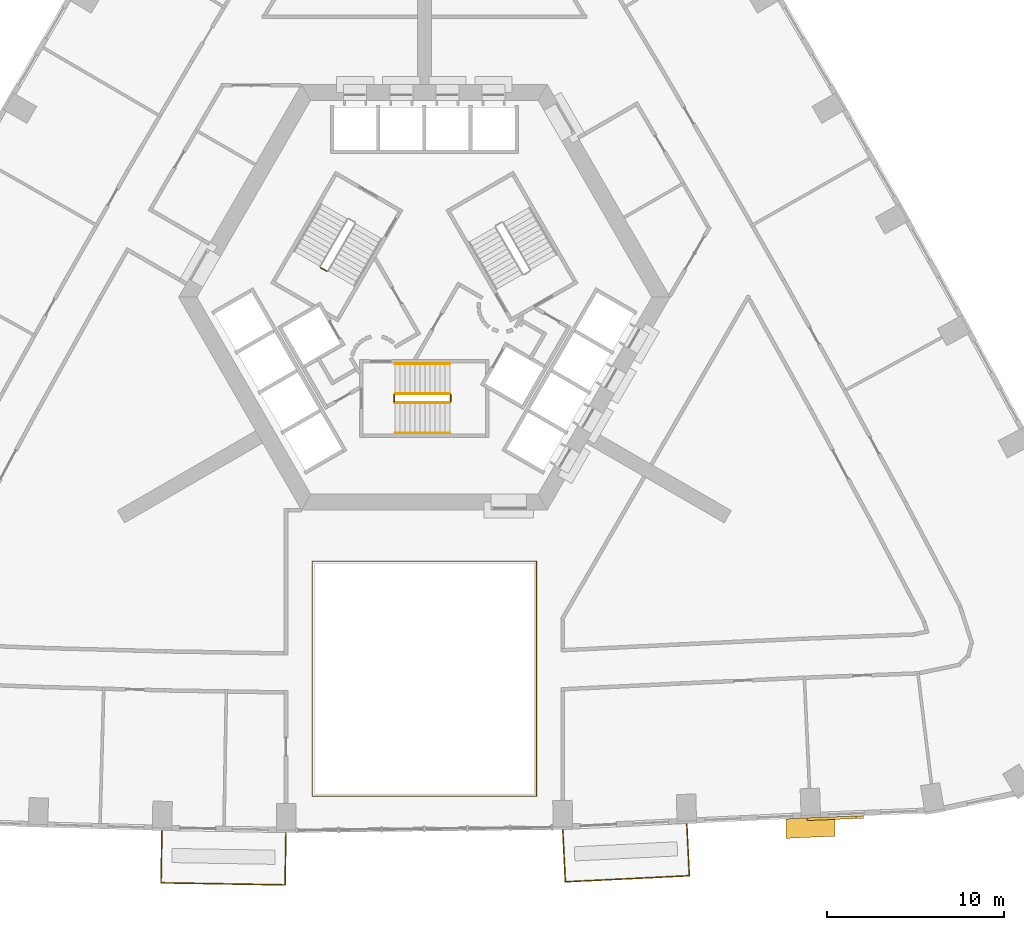
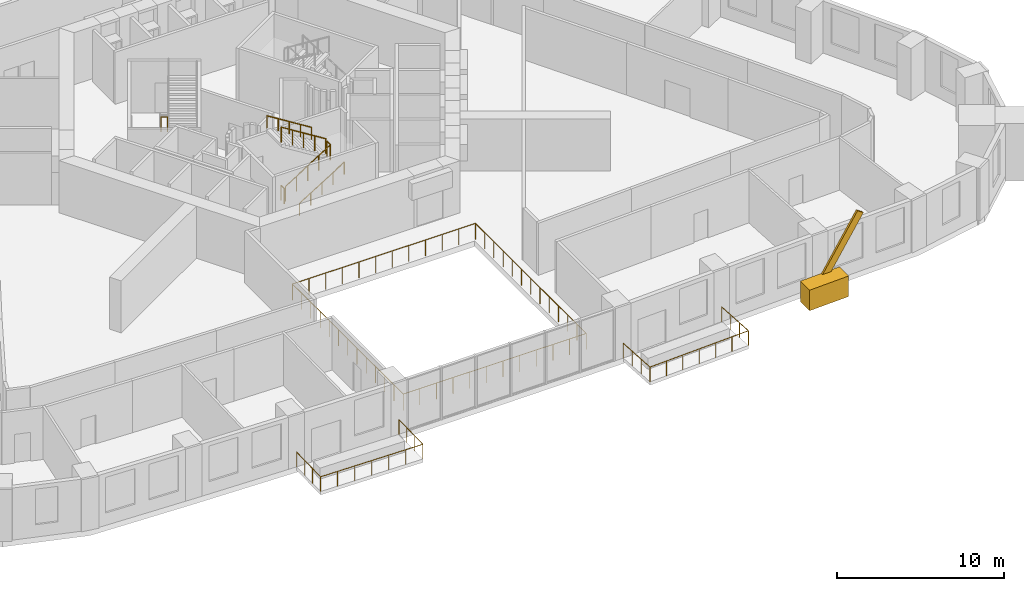
# One storey, part 13 of 14: 10 railings, 1 covering, 1 shading device.
"""IFC4 building model written with IfcOpenShell, lengths in metres."""

import ifcopenshell
import ifcopenshell.guid

model = None  # the IFC model being written
_history = None  # IfcOwnerHistory: only IFC2X3 demands one
_inside = {}  # id of a spatial element -> (the spatial element, [elements in it])
_under = {}  # id of a project, library or spatial element -> (it, [spatial elements below it])
_declared = {}  # id of a project -> (the project, [libraries it declares])
_typed = {}  # id of a type object -> (the type object, [elements of that type])
_made_of = {}  # id of a material, layer set ... -> (it, [elements and type objects made of it])


def new_model(schema):
    """Start an empty IFC model of exactly this schema.

    Asked for "IFC4X3", IfcOpenShell would pick the latest addendum, in which some entities
    have other attributes; the version numbers below select the first issue.
    IFC2X3 requires an IfcOwnerHistory on every rooted entity: one is made here for all.
    """
    global model, _history
    if schema == "IFC4X3":
        model = ifcopenshell.file(schema_version=(4, 3, 0, 0))
    else:
        model = ifcopenshell.file(schema=schema)
    _inside.clear()
    _under.clear()
    _declared.clear()
    _typed.clear()
    _made_of.clear()
    _history = None
    if model.schema == "IFC2X3":
        org = make("IfcOrganization", Name="unknown")
        user = make(
            "IfcPersonAndOrganization",
            ThePerson=make("IfcPerson", FamilyName="unknown"),
            TheOrganization=org,
        )
        app = make(
            "IfcApplication",
            ApplicationDeveloper=org,
            Version="unknown",
            ApplicationFullName="unknown",
            ApplicationIdentifier="unknown",
        )
        _history = make(
            "IfcOwnerHistory",
            OwningUser=user,
            OwningApplication=app,
            ChangeAction="ADDED",
            CreationDate=0,
        )
    return model


def make(cls, **values):
    """One entity of the class cls with the attributes given. An attribute that is None is left unset."""
    return model.create_entity(
        cls, **{name: value for name, value in values.items() if value is not None}
    )


def rooted(cls, **values):
    """An entity with a GlobalId (a new one), such as an element, a storey or a relation."""
    return make(cls, GlobalId=ifcopenshell.guid.new(), OwnerHistory=_history, **values)


def si_unit(unit_type, name, prefix=None):
    """IfcSIUnit, for example si_unit("LENGTHUNIT", "METRE", prefix="MILLI")."""
    return make("IfcSIUnit", UnitType=unit_type, Prefix=prefix, Name=name)


def assignment(units):
    """IfcUnitAssignment: the units of a project."""
    return None if units is None else make("IfcUnitAssignment", Units=units)


def point(xyz):
    """IfcCartesianPoint."""
    return None if xyz is None else make("IfcCartesianPoint", Coordinates=xyz)


def direction(xyz):
    """IfcDirection."""
    return None if xyz is None else make("IfcDirection", DirectionRatios=xyz)


def frame(location, z_axis=None, x_axis=None):
    """IfcAxis2Placement3D, a coordinate frame: its origin and axes. An axis left out is left unset."""
    return make(
        "IfcAxis2Placement3D",
        Location=point(location),
        Axis=direction(z_axis),
        RefDirection=direction(x_axis),
    )


def frame_2d(location, x_axis=None):
    """IfcAxis2Placement2D, a coordinate frame in the plane: its origin and x axis."""
    return make(
        "IfcAxis2Placement2D", Location=point(location), RefDirection=direction(x_axis)
    )


def origin():
    """The frame at (0, 0, 0) with its axes left unset."""
    return frame((0.0, 0.0, 0.0))


def origin_2d():
    """The frame at (0, 0) in the plane with its x axis left unset."""
    return frame_2d((0.0, 0.0))


def place(relative_to, where):
    """IfcLocalPlacement: puts the frame where relative to a parent placement (None: the world)."""
    return make(
        "IfcLocalPlacement", PlacementRelTo=relative_to, RelativePlacement=where
    )


def context(
    kind, dimensions, precision=None, world=None, true_north=None, identifier=None
):
    """IfcGeometricRepresentationContext, for example the 3D "Model" context."""
    return make(
        "IfcGeometricRepresentationContext",
        ContextIdentifier=identifier,
        ContextType=kind,
        CoordinateSpaceDimension=dimensions,
        Precision=precision,
        WorldCoordinateSystem=world,
        TrueNorth=true_north,
    )


def subcontext(parent, identifier, kind, view, scale=None):
    """IfcGeometricRepresentationSubContext, for example "Body" below "Model"."""
    return make(
        "IfcGeometricRepresentationSubContext",
        ContextIdentifier=identifier,
        ContextType=kind,
        ParentContext=parent,
        TargetScale=scale,
        TargetView=view,
    )


def project(units=None, contexts=None):
    """IfcProject with its units and contexts."""
    return rooted(
        "IfcProject",
        Name="project",
        RepresentationContexts=contexts,
        UnitsInContext=assignment(units),
    )


def spatial(cls, under=None, at=None, **own):
    """A site, building, storey or space (cls), placed at a placement, below another one or the project."""
    s = rooted(cls, ObjectPlacement=at, **own)
    if under is not None:
        _under.setdefault(under.id(), (under, []))[1].append(s)
    return s


def polyline(points):
    """IfcPolyline through the points."""
    return make("IfcPolyline", Points=[point(p) for p in points])


def profile(cls, at=None, kind="AREA", **sizes):
    """A parametric profile (cls). Its sizes go by their IFC names, for example OverallWidth=200.0."""
    return make(cls, ProfileType=kind, Position=at, **sizes)


def rectangle(**sizes):
    """IfcRectangleProfileDef."""
    return profile("IfcRectangleProfileDef", **sizes)


def circle(**sizes):
    """IfcCircleProfileDef."""
    return profile("IfcCircleProfileDef", **sizes)


def outline(outer, holes=None, kind="AREA"):
    """IfcArbitraryClosedProfileDef: a profile drawn as a closed curve; with holes, ...WithVoids."""
    if holes is None:
        return make("IfcArbitraryClosedProfileDef", ProfileType=kind, OuterCurve=outer)
    return make(
        "IfcArbitraryProfileDefWithVoids",
        ProfileType=kind,
        OuterCurve=outer,
        InnerCurves=holes,
    )


def extrude(swept, where, along, depth):
    """IfcExtrudedAreaSolid: the profile swept, set in the frame where, extruded along a direction by depth."""
    return make(
        "IfcExtrudedAreaSolid",
        SweptArea=swept,
        Position=where,
        ExtrudedDirection=direction(along),
        Depth=depth,
    )


def shape(context_of_items, identifier, shape_type, items):
    """IfcShapeRepresentation: the items that make up one representation, for example the "Body"."""
    return make(
        "IfcShapeRepresentation",
        ContextOfItems=context_of_items,
        RepresentationIdentifier=identifier,
        RepresentationType=shape_type,
        Items=items,
    )


def material(Name=None, Category=None):
    """IfcMaterial."""
    return make("IfcMaterial", Name=Name, Category=Category)


def material_profile(
    of_material, cross_section, Name=None, Category=None, Priority=None
):
    """IfcMaterialProfile: a cross section and its material."""
    return make(
        "IfcMaterialProfile",
        Name=Name,
        Material=of_material,
        Profile=cross_section,
        Priority=Priority,
        Category=Category,
    )


def profile_set(profiles, Name=None, composite=None):
    """IfcMaterialProfileSet."""
    return make(
        "IfcMaterialProfileSet",
        Name=Name,
        MaterialProfiles=profiles,
        CompositeProfile=composite,
    )


def made_of(thing, what):
    """Note that an element or type object is made of a material, layer set ...; save() writes the relation."""
    if what is not None:
        _made_of.setdefault(what.id(), (what, []))[1].append(thing)
    return thing


def type_object(cls, material=None, **own):
    """A type object (cls), such as IfcWallType, which elements share."""
    return made_of(rooted(cls, **own), material)


def element(
    cls,
    number,
    at=None,
    inside=None,
    cuts=None,
    type_object=None,
    material=None,
    context=None,
    identifier="Body",
    shape_type=None,
    held_by="IfcProductDefinitionShape",
    body=None,
    shapes=None,
    **own,
):
    """One element of the class cls, such as IfcWall. Its Tag is "e" and its number.

    at: its placement. inside: the storey or other place that contains it. cuts: it is an
    opening in that element (IfcRelVoidsElement). A single representation is given by context,
    identifier, shape_type and body (its items); several are given by shapes. held_by: the class
    of the entity that holds the representations. save() writes the other relations.
    """
    e = rooted(cls, Tag="e%d" % number, ObjectPlacement=at, **own)
    if body is not None:
        shapes = [shape(context, identifier, shape_type, body)]
    if shapes is not None:
        e.Representation = make(held_by, Representations=shapes)
    if inside is not None:
        _inside.setdefault(inside.id(), (inside, []))[1].append(e)
    if cuts is not None:
        rooted(
            "IfcRelVoidsElement", RelatingBuildingElement=cuts, RelatedOpeningElement=e
        )
    if type_object is not None:
        _typed.setdefault(type_object.id(), (type_object, []))[1].append(e)
    return made_of(e, material)


def aggregate(whole, parts):
    """IfcRelAggregates: a whole, such as a stair, and the parts it consists of."""
    return rooted("IfcRelAggregates", RelatingObject=whole, RelatedObjects=parts)


def save(model, path):
    """Write the relations noted so far, then the file.

    IfcRelAggregates (storeys below a building ...), IfcRelContainedInSpatialStructure (elements
    in a storey), IfcRelDefinesByType, IfcRelAssociatesMaterial and IfcRelDeclares: one each for
    every whole, place, type object, material and project.
    """
    for whole, parts in _under.values():
        aggregate(whole, parts)
    for where, things in _inside.values():
        rooted(
            "IfcRelContainedInSpatialStructure",
            RelatedElements=things,
            RelatingStructure=where,
        )
    for kind, things in _typed.values():
        rooted("IfcRelDefinesByType", RelatedObjects=things, RelatingType=kind)
    for what, things in _made_of.values():
        rooted("IfcRelAssociatesMaterial", RelatedObjects=things, RelatingMaterial=what)
    for by, libraries in _declared.values():
        rooted("IfcRelDeclares", RelatingContext=by, RelatedDefinitions=libraries)
    model.write(path)


model = new_model("IFC4")

# Units and contexts
model_context = context("Model", 3, precision=1e-05, world=origin(), true_north=direction((0.0, 1.0)))
body_context = subcontext(model_context, "Body", "Model", "MODEL_VIEW")
ifc_project = project(units=[si_unit("LENGTHUNIT", "METRE"), si_unit("AREAUNIT", "SQUARE_METRE"), si_unit("VOLUMEUNIT", "CUBIC_METRE"), si_unit("PLANEANGLEUNIT", "RADIAN"), si_unit("MASSUNIT", "GRAM", prefix="KILO")], contexts=[model_context])

# Site, building, storey
site_placement = place(None, origin())
site = spatial("IfcSite", under=ifc_project, at=site_placement, CompositionType="ELEMENT")
building_placement = place(site_placement, origin())
building = spatial("IfcBuilding", under=site, at=building_placement, Name="Entoto Arch Interchange Tower", CompositionType="ELEMENT")
storey_placement = place(building_placement, frame((0.0, 0.0, 116.0)))
storey = spatial("IfcBuildingStorey", under=building, at=storey_placement, Name="L25", CompositionType="ELEMENT", Elevation=116.0)

# Railing
ifc_material_1 = material(Name="Stainless steel 1.4301", Category="steel")
railing_type_1 = type_object("IfcRailingType", Name="ATRIUM GUARD 1200 STEEL AND GLASS", PredefinedType="GUARDRAIL", material=ifc_material_1)
railing_1_placement = place(storey_placement, frame((6.320068359375, -25.6298828125, 0.0)))
element("IfcRailing", 1, at=railing_1_placement, inside=storey, type_object=railing_type_1, Name="Atrium guard L25", PredefinedType="GUARDRAIL", context=body_context, shape_type="SweptSolid", body=[
    extrude(circle(Radius=0.02392578125, at=origin_2d()), frame((0.0, 0.0, 1.17578125), z_axis=(-1.0, 0.0, 0.0), x_axis=(0.0, -1.0, 0.0)), (0.0, 0.0, 1.0), 12.64013671875),
    extrude(circle(Radius=0.02392578125, at=origin_2d()), frame((-12.64013671875, 0.0, 1.17578125), z_axis=(0.0, 1.0, 0.0), x_axis=(-1.0, 0.0, 0.0)), (0.0, 0.0, 1.0), 13.25),
    extrude(circle(Radius=0.02392578125, at=origin_2d()), frame((-12.64013671875, 13.25, 1.17578125), z_axis=(1.0, 0.0, 0.0), x_axis=(0.0, 1.0, 0.0)), (0.0, 0.0, 1.0), 12.64013671875),
    extrude(circle(Radius=0.02392578125, at=origin_2d()), frame((0.0, 13.25, 1.17578125), z_axis=(0.0, -1.0, 0.0), x_axis=(1.0, 0.0, 0.0)), (0.0, 0.0, 1.0), 13.25),
    extrude(circle(Radius=0.02099609375, at=origin_2d()), origin(), (0.0, 0.0, 1.0), 1.15185546875),
    extrude(circle(Radius=0.02099609375, at=origin_2d()), frame((-1.149169921875, 0.0, 0.0)), (0.0, 0.0, 1.0), 1.15185546875),
    extrude(circle(Radius=0.02099609375, at=origin_2d()), frame((-2.298095703125, 0.0, 0.0)), (0.0, 0.0, 1.0), 1.15185546875),
    extrude(circle(Radius=0.02099609375, at=origin_2d()), frame((-3.447265625, 0.0, 0.0)), (0.0, 0.0, 1.0), 1.15185546875),
    extrude(circle(Radius=0.02099609375, at=origin_2d()), frame((-4.596435546875, 0.0, 0.0)), (0.0, 0.0, 1.0), 1.15185546875),
    extrude(circle(Radius=0.02099609375, at=origin_2d()), frame((-5.74560546875, 0.0, 0.0)), (0.0, 0.0, 1.0), 1.15185546875),
    extrude(circle(Radius=0.02099609375, at=origin_2d()), frame((-6.89453125, 0.0, 0.0)), (0.0, 0.0, 1.0), 1.15185546875),
    extrude(circle(Radius=0.02099609375, at=origin_2d()), frame((-8.043701171875, 0.0, 0.0)), (0.0, 0.0, 1.0), 1.15185546875),
    extrude(circle(Radius=0.02099609375, at=origin_2d()), frame((-9.19287109375, 0.0, 0.0)), (0.0, 0.0, 1.0), 1.15185546875),
    extrude(circle(Radius=0.02099609375, at=origin_2d()), frame((-10.342041015625, 0.0, 0.0)), (0.0, 0.0, 1.0), 1.15185546875),
    extrude(circle(Radius=0.02099609375, at=origin_2d()), frame((-11.490966796875, 0.0, 0.0)), (0.0, 0.0, 1.0), 1.15185546875),
    extrude(circle(Radius=0.02099609375, at=origin_2d()), frame((-12.64013671875, 0.0, 0.0)), (0.0, 0.0, 1.0), 1.15185546875),
    extrude(circle(Radius=0.02099609375, at=origin_2d()), frame((-12.64013671875, 1.104248046875, 0.0)), (0.0, 0.0, 1.0), 1.15185546875),
    extrude(circle(Radius=0.02099609375, at=origin_2d()), frame((-12.64013671875, 2.208251953125, 0.0)), (0.0, 0.0, 1.0), 1.15185546875),
    extrude(circle(Radius=0.02099609375, at=origin_2d()), frame((-12.64013671875, 3.3125, 0.0)), (0.0, 0.0, 1.0), 1.15185546875),
    extrude(circle(Radius=0.02099609375, at=origin_2d()), frame((-12.64013671875, 4.416748046875, 0.0)), (0.0, 0.0, 1.0), 1.15185546875),
    extrude(circle(Radius=0.02099609375, at=origin_2d()), frame((-12.64013671875, 5.520751953125, 0.0)), (0.0, 0.0, 1.0), 1.15185546875),
    extrude(circle(Radius=0.02099609375, at=origin_2d()), frame((-12.64013671875, 6.625, 0.0)), (0.0, 0.0, 1.0), 1.15185546875),
    extrude(circle(Radius=0.02099609375, at=origin_2d()), frame((-12.64013671875, 7.729248046875, 0.0)), (0.0, 0.0, 1.0), 1.15185546875),
    extrude(circle(Radius=0.02099609375, at=origin_2d()), frame((-12.64013671875, 8.833251953125, 0.0)), (0.0, 0.0, 1.0), 1.15185546875),
    extrude(circle(Radius=0.02099609375, at=origin_2d()), frame((-12.64013671875, 9.9375, 0.0)), (0.0, 0.0, 1.0), 1.15185546875),
    extrude(circle(Radius=0.02099609375, at=origin_2d()), frame((-12.64013671875, 11.041748046875, 0.0)), (0.0, 0.0, 1.0), 1.15185546875),
    extrude(circle(Radius=0.02099609375, at=origin_2d()), frame((-12.64013671875, 12.145751953125, 0.0)), (0.0, 0.0, 1.0), 1.15185546875),
    extrude(circle(Radius=0.02099609375, at=origin_2d()), frame((-12.64013671875, 13.25, 0.0)), (0.0, 0.0, 1.0), 1.15185546875),
    extrude(circle(Radius=0.02099609375, at=origin_2d()), frame((-11.490966796875, 13.25, 0.0)), (0.0, 0.0, 1.0), 1.15185546875),
    extrude(circle(Radius=0.02099609375, at=origin_2d()), frame((-10.342041015625, 13.25, 0.0)), (0.0, 0.0, 1.0), 1.15185546875),
    extrude(circle(Radius=0.02099609375, at=origin_2d()), frame((-9.19287109375, 13.25, 0.0)), (0.0, 0.0, 1.0), 1.15185546875),
    extrude(circle(Radius=0.02099609375, at=origin_2d()), frame((-8.043701171875, 13.25, 0.0)), (0.0, 0.0, 1.0), 1.15185546875),
    extrude(circle(Radius=0.02099609375, at=origin_2d()), frame((-6.89453125, 13.25, 0.0)), (0.0, 0.0, 1.0), 1.15185546875),
    extrude(circle(Radius=0.02099609375, at=origin_2d()), frame((-5.74560546875, 13.25, 0.0)), (0.0, 0.0, 1.0), 1.15185546875),
    extrude(circle(Radius=0.02099609375, at=origin_2d()), frame((-4.596435546875, 13.25, 0.0)), (0.0, 0.0, 1.0), 1.15185546875),
    extrude(circle(Radius=0.02099609375, at=origin_2d()), frame((-3.447265625, 13.25, 0.0)), (0.0, 0.0, 1.0), 1.15185546875),
    extrude(circle(Radius=0.02099609375, at=origin_2d()), frame((-2.298095703125, 13.25, 0.0)), (0.0, 0.0, 1.0), 1.15185546875),
    extrude(circle(Radius=0.02099609375, at=origin_2d()), frame((-1.149169921875, 13.25, 0.0)), (0.0, 0.0, 1.0), 1.15185546875),
    extrude(circle(Radius=0.02099609375, at=origin_2d()), frame((0.0, 13.25, 0.0)), (0.0, 0.0, 1.0), 1.15185546875),
    extrude(circle(Radius=0.02099609375, at=origin_2d()), frame((0.0, 12.145751953125, 0.0)), (0.0, 0.0, 1.0), 1.15185546875),
    extrude(circle(Radius=0.02099609375, at=origin_2d()), frame((0.0, 11.041748046875, 0.0)), (0.0, 0.0, 1.0), 1.15185546875),
    extrude(circle(Radius=0.02099609375, at=origin_2d()), frame((0.0, 9.9375, 0.0)), (0.0, 0.0, 1.0), 1.15185546875),
    extrude(circle(Radius=0.02099609375, at=origin_2d()), frame((0.0, 8.833251953125, 0.0)), (0.0, 0.0, 1.0), 1.15185546875),
    extrude(circle(Radius=0.02099609375, at=origin_2d()), frame((0.0, 7.729248046875, 0.0)), (0.0, 0.0, 1.0), 1.15185546875),
    extrude(circle(Radius=0.02099609375, at=origin_2d()), frame((0.0, 6.625, 0.0)), (0.0, 0.0, 1.0), 1.15185546875),
    extrude(circle(Radius=0.02099609375, at=origin_2d()), frame((0.0, 5.520751953125, 0.0)), (0.0, 0.0, 1.0), 1.15185546875),
    extrude(circle(Radius=0.02099609375, at=origin_2d()), frame((0.0, 4.416748046875, 0.0)), (0.0, 0.0, 1.0), 1.15185546875),
    extrude(circle(Radius=0.02099609375, at=origin_2d()), frame((0.0, 3.3125, 0.0)), (0.0, 0.0, 1.0), 1.15185546875),
    extrude(circle(Radius=0.02099609375, at=origin_2d()), frame((0.0, 2.208251953125, 0.0)), (0.0, 0.0, 1.0), 1.15185546875),
    extrude(circle(Radius=0.02099609375, at=origin_2d()), frame((0.0, 1.104248046875, 0.0)), (0.0, 0.0, 1.0), 1.15185546875),
])

# Shading device
ifc_material_2 = material(Name="Board-marked precast concrete C50/60", Category="concrete")
ifc_material_profile = material_profile(ifc_material_2, rectangle(XDim=0.14990234375, YDim=0.5, at=origin_2d()))
ifc_profile_set = profile_set([ifc_material_profile], Name="Board-marked precast concrete C50/60")
shading_device_type = type_object("IfcShadingDeviceType", Name="FOLD BAND PRECAST 150x500", PredefinedType="USERDEFINED", material=ifc_profile_set)
shading_device_placement = place(storey_placement, frame((21.76904296875, -26.9169921875, 0.25), z_axis=(0.550450385132, 0.021055479213, 0.834602324645), x_axis=(-0.038223412723, 0.999269218339, 0.0)))
element("IfcShadingDevice", 2, at=shading_device_placement, inside=storey, type_object=shading_device_type, Name="Fold band L25", ObjectType="FOLD BAND", PredefinedType="USERDEFINED", context=body_context, shape_type="SweptSolid", body=[
    extrude(rectangle(XDim=0.14990234375, YDim=0.5, at=origin_2d()), origin(), (0.0, 0.0, 1.0), 5.0322265625),
])

# Railings
railing_type_2 = type_object("IfcRailingType", Name="GUARD 1100 STEEL AND GLASS", PredefinedType="GUARDRAIL", material=ifc_material_1)
railing_2_placement = place(storey_placement, frame((-14.794921875, -27.56201171875, 0.0)))
element("IfcRailing", 3, at=railing_2_placement, inside=storey, type_object=railing_type_2, Name="Balcony guard S-03 L25", PredefinedType="GUARDRAIL", context=body_context, shape_type="SweptSolid", body=[
    extrude(circle(Radius=0.02392578125, at=origin_2d()), frame((0.0, 0.0, 1.076171875), z_axis=(-0.017294441939, -0.999850439955, 0.0), x_axis=(0.999850439955, -0.017294441939, 0.0)), (0.0, 0.0, 1.0), 2.950439453125),
    extrude(circle(Radius=0.02392578125, at=origin_2d()), frame((-0.051025390625, -2.949951171875, 1.076171875), z_axis=(0.999852590795, -0.017169644155, 0.0), x_axis=(0.017169644155, 0.999852590795, 0.0)), (0.0, 0.0, 1.0), 6.995849609375),
    extrude(circle(Radius=0.02392578125, at=origin_2d()), frame((6.94384765625, -3.070068359375, 1.076171875), z_axis=(0.017293011182, 0.999850464702, 0.0), x_axis=(-0.999850464702, 0.017293011182, 0.0)), (0.0, 0.0, 1.0), 2.95068359375),
    extrude(circle(Radius=0.02099609375, at=origin_2d()), origin(), (0.0, 0.0, 1.0), 1.052001953125),
    extrude(circle(Radius=0.02099609375, at=origin_2d()), frame((-0.01708984375, -0.9833984375, 0.0)), (0.0, 0.0, 1.0), 1.052001953125),
    extrude(circle(Radius=0.02099609375, at=origin_2d()), frame((-0.033935546875, -1.966552734375, 0.0)), (0.0, 0.0, 1.0), 1.052001953125),
    extrude(circle(Radius=0.02099609375, at=origin_2d()), frame((-0.051025390625, -2.949951171875, 0.0)), (0.0, 0.0, 1.0), 1.052001953125),
    extrude(circle(Radius=0.02099609375, at=origin_2d()), frame((1.11474609375, -2.969970703125, 0.0)), (0.0, 0.0, 1.0), 1.052001953125),
    extrude(circle(Radius=0.02099609375, at=origin_2d()), frame((2.280517578125, -2.989990234375, 0.0)), (0.0, 0.0, 1.0), 1.052001953125),
    extrude(circle(Radius=0.02099609375, at=origin_2d()), frame((3.4462890625, -3.010009765625, 0.0)), (0.0, 0.0, 1.0), 1.052001953125),
    extrude(circle(Radius=0.02099609375, at=origin_2d()), frame((4.6123046875, -3.030029296875, 0.0)), (0.0, 0.0, 1.0), 1.052001953125),
    extrude(circle(Radius=0.02099609375, at=origin_2d()), frame((5.778076171875, -3.050048828125, 0.0)), (0.0, 0.0, 1.0), 1.052001953125),
    extrude(circle(Radius=0.02099609375, at=origin_2d()), frame((6.94384765625, -3.070068359375, 0.0)), (0.0, 0.0, 1.0), 1.052001953125),
    extrude(circle(Radius=0.02099609375, at=origin_2d()), frame((6.9609375, -2.086669921875, 0.0)), (0.0, 0.0, 1.0), 1.052001953125),
    extrude(circle(Radius=0.02099609375, at=origin_2d()), frame((6.977783203125, -1.103271484375, 0.0)), (0.0, 0.0, 1.0), 1.052001953125),
    extrude(circle(Radius=0.02099609375, at=origin_2d()), frame((6.994873046875, -0.119873046875, 0.0)), (0.0, 0.0, 1.0), 1.052001953125),
])
railing_3_placement = place(storey_placement, frame((7.800048828125, -27.510009765625, 0.0)))
element("IfcRailing", 4, at=railing_3_placement, inside=storey, type_object=railing_type_2, Name="Balcony guard S-05 L25", PredefinedType="GUARDRAIL", context=body_context, shape_type="SweptSolid", body=[
    extrude(circle(Radius=0.02392578125, at=origin_2d()), frame((0.0, 0.0, 1.076171875), z_axis=(0.048835339138, -0.998806843014, 0.0), x_axis=(0.998806843014, 0.048835339138, 0.0)), (0.0, 0.0, 1.0), 2.949462890625),
    extrude(circle(Radius=0.02392578125, at=origin_2d()), frame((0.14404296875, -2.946044921875, 1.076171875), z_axis=(0.998799780544, 0.048979571103, 0.0), x_axis=(-0.048979571103, 0.998799780544, 0.0)), (0.0, 0.0, 1.0), 7.003173828125),
    extrude(circle(Radius=0.02392578125, at=origin_2d()), frame((7.138916015625, -2.60302734375, 1.076171875), z_axis=(-0.048835339138, 0.998806843014, 0.0), x_axis=(-0.998806843014, -0.048835339138, 0.0)), (0.0, 0.0, 1.0), 2.949462890625),
    extrude(circle(Radius=0.02099609375, at=origin_2d()), origin(), (0.0, 0.0, 1.0), 1.052001953125),
    extrude(circle(Radius=0.02099609375, at=origin_2d()), frame((0.048095703125, -0.98193359375, 0.0)), (0.0, 0.0, 1.0), 1.052001953125),
    extrude(circle(Radius=0.02099609375, at=origin_2d()), frame((0.095947265625, -1.964111328125, 0.0)), (0.0, 0.0, 1.0), 1.052001953125),
    extrude(circle(Radius=0.02099609375, at=origin_2d()), frame((0.14404296875, -2.946044921875, 0.0)), (0.0, 0.0, 1.0), 1.052001953125),
    extrude(circle(Radius=0.02099609375, at=origin_2d()), frame((1.309814453125, -2.888916015625, 0.0)), (0.0, 0.0, 1.0), 1.052001953125),
    extrude(circle(Radius=0.02099609375, at=origin_2d()), frame((2.4755859375, -2.831787109375, 0.0)), (0.0, 0.0, 1.0), 1.052001953125),
    extrude(circle(Radius=0.02099609375, at=origin_2d()), frame((3.6416015625, -2.7744140625, 0.0)), (0.0, 0.0, 1.0), 1.052001953125),
    extrude(circle(Radius=0.02099609375, at=origin_2d()), frame((4.807373046875, -2.71728515625, 0.0)), (0.0, 0.0, 1.0), 1.052001953125),
    extrude(circle(Radius=0.02099609375, at=origin_2d()), frame((5.97314453125, -2.66015625, 0.0)), (0.0, 0.0, 1.0), 1.052001953125),
    extrude(circle(Radius=0.02099609375, at=origin_2d()), frame((7.138916015625, -2.60302734375, 0.0)), (0.0, 0.0, 1.0), 1.052001953125),
    extrude(circle(Radius=0.02099609375, at=origin_2d()), frame((7.0908203125, -1.62109375, 0.0)), (0.0, 0.0, 1.0), 1.052001953125),
    extrude(circle(Radius=0.02099609375, at=origin_2d()), frame((7.04296875, -0.638916015625, 0.0)), (0.0, 0.0, 1.0), 1.052001953125),
    extrude(circle(Radius=0.02099609375, at=origin_2d()), frame((6.994873046875, 0.343017578125, 0.0)), (0.0, 0.0, 1.0), 1.052001953125),
])

# Covering
covering_type = type_object("IfcCoveringType", Name="PRECAST FRAME COURSE", PredefinedType="CLADDING", material=ifc_material_2)
covering_placement = place(storey_placement, frame((0.0, 0.0, -0.64990234375)))
element("IfcCovering", 5, at=covering_placement, inside=storey, type_object=covering_type, Name="Fold crease ribbon L25", PredefinedType="CLADDING", context=body_context, shape_type="SweptSolid", body=[
    extrude(outline(polyline([(22.412109375, -27.91796875), (22.3779296875, -27.9208984375), (21.833984375, -27.93994140625), (20.381103515625, -28.008056640625), (20.381103515625, -26.906982421875), (21.7890625, -26.841064453125), (22.339111328125, -26.822021484375), (22.339111328125, -26.820068359375), (23.15087890625, -26.7890625), (23.15087890625, -27.889892578125), (22.412109375, -27.91796875)])), origin(), (0.0, 0.0, 1.0), 1.5),
])

# Railings
railing_type_3 = type_object("IfcRailingType", Name="STAIR GUARD 1100 STEEL", PredefinedType="GUARDRAIL", material=ifc_material_1)
railing_4_placement = place(storey_placement, frame((-1.64990234375, -3.449951171875, 0.175048828125)))
element("IfcRailing", 6, at=railing_4_placement, inside=storey, type_object=railing_type_3, Name="L25 ST-S stair guard 1", PredefinedType="GUARDRAIL", context=body_context, shape_type="SweptSolid", body=[
    extrude(circle(Radius=0.02392578125, at=origin_2d()), frame((0.0, 0.0, 1.076171875), z_axis=(0.847979421464, 0.0, 0.530029150871), x_axis=(0.0, 1.0, 0.0)), (0.0, 0.0, 1.0), 3.632080078125),
    extrude(circle(Radius=0.02099609375, at=origin_2d()), origin(), (0.0, 0.0, 1.0), 1.052001953125),
    extrude(circle(Radius=0.02099609375, at=origin_2d()), frame((0.77001953125, 0.0, 0.481201171875)), (0.0, 0.0, 1.0), 1.052001953125),
    extrude(circle(Radius=0.02099609375, at=origin_2d()), frame((1.5400390625, 0.0, 0.96240234375)), (0.0, 0.0, 1.0), 1.052001953125),
    extrude(circle(Radius=0.02099609375, at=origin_2d()), frame((2.309814453125, 0.0, 1.44384765625)), (0.0, 0.0, 1.0), 1.052001953125),
    extrude(circle(Radius=0.02099609375, at=origin_2d()), frame((3.079833984375, 0.0, 1.925048828125)), (0.0, 0.0, 1.0), 1.052001953125),
])
railing_5_placement = place(storey_placement, frame((1.47998046875, -3.39990234375, 2.10009765625)))
element("IfcRailing", 7, at=railing_5_placement, inside=storey, type_object=railing_type_3, Name="L25 ST-S stair guard 2", PredefinedType="GUARDRAIL", context=body_context, shape_type="SweptSolid", body=[
    extrude(circle(Radius=0.02392578125, at=origin_2d()), frame((0.0, 0.0, 1.076171875), z_axis=(0.0, 1.0, 0.0), x_axis=(-1.0, 0.0, 0.0)), (0.0, 0.0, 1.0), 0.39990234375),
    extrude(circle(Radius=0.02099609375, at=origin_2d()), origin(), (0.0, 0.0, 1.0), 1.052001953125),
    extrude(circle(Radius=0.02099609375, at=origin_2d()), frame((0.0, 0.39990234375, 0.0)), (0.0, 0.0, 1.0), 1.052001953125),
])
railing_6_placement = place(storey_placement, frame((1.429931640625, -2.949951171875, 2.27490234375)))
element("IfcRailing", 8, at=railing_6_placement, inside=storey, type_object=railing_type_3, Name="L25 ST-S stair guard 3", PredefinedType="GUARDRAIL", context=body_context, shape_type="SweptSolid", body=[
    extrude(circle(Radius=0.02392578125, at=origin_2d()), frame((0.0, 0.0, 1.076171875), z_axis=(-0.847979421464, 0.0, 0.530029150871), x_axis=(0.0, -1.0, 0.0)), (0.0, 0.0, 1.0), 3.632080078125),
    extrude(circle(Radius=0.02099609375, at=origin_2d()), origin(), (0.0, 0.0, 1.0), 1.052001953125),
    extrude(circle(Radius=0.02099609375, at=origin_2d()), frame((-0.77001953125, 0.0, 0.481201171875)), (0.0, 0.0, 1.0), 1.052001953125),
    extrude(circle(Radius=0.02099609375, at=origin_2d()), frame((-1.5400390625, 0.0, 0.96240234375)), (0.0, 0.0, 1.0), 1.052001953125),
    extrude(circle(Radius=0.02099609375, at=origin_2d()), frame((-2.309814453125, 0.0, 1.44384765625)), (0.0, 0.0, 1.0), 1.052001953125),
    extrude(circle(Radius=0.02099609375, at=origin_2d()), frame((-3.079833984375, 0.0, 1.925048828125)), (0.0, 0.0, 1.0), 1.052001953125),
])
railing_7_placement = place(storey_placement, frame((-1.699951171875, -3.39990234375, 0.0)))
element("IfcRailing", 9, at=railing_7_placement, inside=storey, type_object=railing_type_3, Name="L25 ST-S stair guard 4", PredefinedType="GUARDRAIL", context=body_context, shape_type="SweptSolid", body=[
    extrude(circle(Radius=0.02392578125, at=origin_2d()), frame((0.0, 0.0, 1.076171875), z_axis=(0.0, 1.0, 0.0), x_axis=(-1.0, 0.0, 0.0)), (0.0, 0.0, 1.0), 0.39990234375),
    extrude(circle(Radius=0.02099609375, at=origin_2d()), origin(), (0.0, 0.0, 1.0), 1.052001953125),
    extrude(circle(Radius=0.02099609375, at=origin_2d()), frame((0.0, 0.39990234375, 0.0)), (0.0, 0.0, 1.0), 1.052001953125),
])
railing_8_placement = place(storey_placement, frame((-5.849609375, 4.168212890625, 2.10009765625)))
element("IfcRailing", 10, at=railing_8_placement, inside=storey, type_object=railing_type_3, Name="L25 ST-NW stair guard 2", PredefinedType="GUARDRAIL", context=body_context, shape_type="SweptSolid", body=[
    extrude(circle(Radius=0.02392578125, at=origin_2d()), frame((0.0, 0.0, 1.076171875), z_axis=(0.866094119867, -0.499880961361, 0.0), x_axis=(0.499880961361, 0.866094119867, 0.0)), (0.0, 0.0, 1.0), 0.39990234375),
    extrude(circle(Radius=0.02099609375, at=origin_2d()), origin(), (0.0, 0.0, 1.0), 1.052001953125),
    extrude(circle(Radius=0.02099609375, at=origin_2d()), frame((0.346435546875, -0.199951171875, 0.0)), (0.0, 0.0, 1.0), 1.052001953125),
])
railing_type_4 = type_object("IfcRailingType", Name="STAIR HANDRAIL 900 STEEL", PredefinedType="HANDRAIL", material=ifc_material_1)
railing_9_placement = place(storey_placement, frame((-1.64990234375, -5.14990234375, 0.175048828125)))
element("IfcRailing", 11, at=railing_9_placement, inside=storey, type_object=railing_type_4, Name="L25 ST-S stair handrail 1", PredefinedType="HANDRAIL", context=body_context, shape_type="SweptSolid", body=[
    extrude(circle(Radius=0.02392578125, at=origin_2d()), frame((0.0, 0.0, 0.8759765625), z_axis=(0.847979421464, 0.0, 0.530029150871), x_axis=(0.0, 1.0, 0.0)), (0.0, 0.0, 1.0), 3.632080078125),
    extrude(circle(Radius=0.02099609375, at=origin_2d()), origin(), (0.0, 0.0, 1.0), 0.851806640625),
    extrude(circle(Radius=0.02099609375, at=origin_2d()), frame((0.77001953125, 0.0, 0.481201171875)), (0.0, 0.0, 1.0), 0.851806640625),
    extrude(circle(Radius=0.02099609375, at=origin_2d()), frame((1.5400390625, 0.0, 0.96240234375)), (0.0, 0.0, 1.0), 0.851806640625),
    extrude(circle(Radius=0.02099609375, at=origin_2d()), frame((2.309814453125, 0.0, 1.44384765625)), (0.0, 0.0, 1.0), 0.851806640625),
    extrude(circle(Radius=0.02099609375, at=origin_2d()), frame((3.079833984375, 0.0, 1.925048828125)), (0.0, 0.0, 1.0), 0.851806640625),
])
railing_10_placement = place(storey_placement, frame((1.429931640625, -1.25, 2.27490234375)))
element("IfcRailing", 12, at=railing_10_placement, inside=storey, type_object=railing_type_4, Name="L25 ST-S stair handrail 2", PredefinedType="HANDRAIL", context=body_context, shape_type="SweptSolid", body=[
    extrude(circle(Radius=0.02392578125, at=origin_2d()), frame((0.0, 0.0, 0.8759765625), z_axis=(-0.847979421464, 0.0, 0.530029150871), x_axis=(0.0, -1.0, 0.0)), (0.0, 0.0, 1.0), 3.632080078125),
    extrude(circle(Radius=0.02099609375, at=origin_2d()), origin(), (0.0, 0.0, 1.0), 0.851806640625),
    extrude(circle(Radius=0.02099609375, at=origin_2d()), frame((-0.77001953125, 0.0, 0.481201171875)), (0.0, 0.0, 1.0), 0.851806640625),
    extrude(circle(Radius=0.02099609375, at=origin_2d()), frame((-1.5400390625, 0.0, 0.96240234375)), (0.0, 0.0, 1.0), 0.851806640625),
    extrude(circle(Radius=0.02099609375, at=origin_2d()), frame((-2.309814453125, 0.0, 1.44384765625)), (0.0, 0.0, 1.0), 0.851806640625),
    extrude(circle(Radius=0.02099609375, at=origin_2d()), frame((-3.079833984375, 0.0, 1.925048828125)), (0.0, 0.0, 1.0), 0.851806640625),
])

save(model, "model.ifc")
